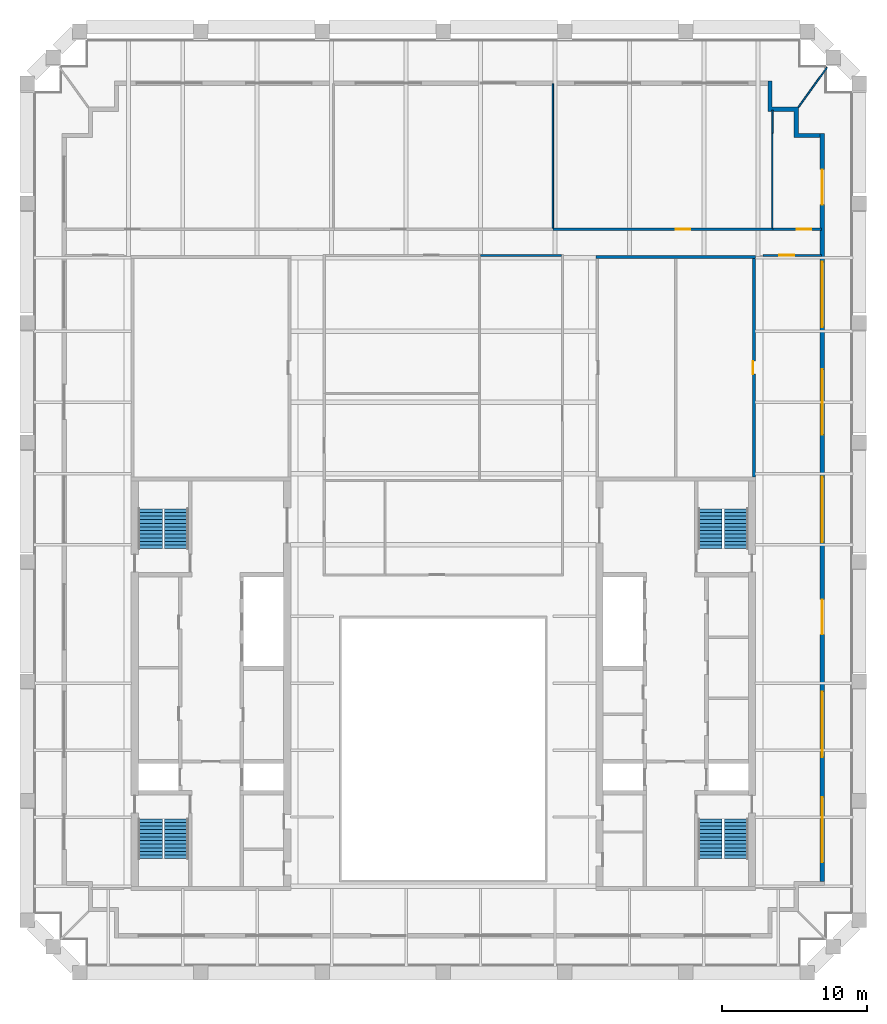
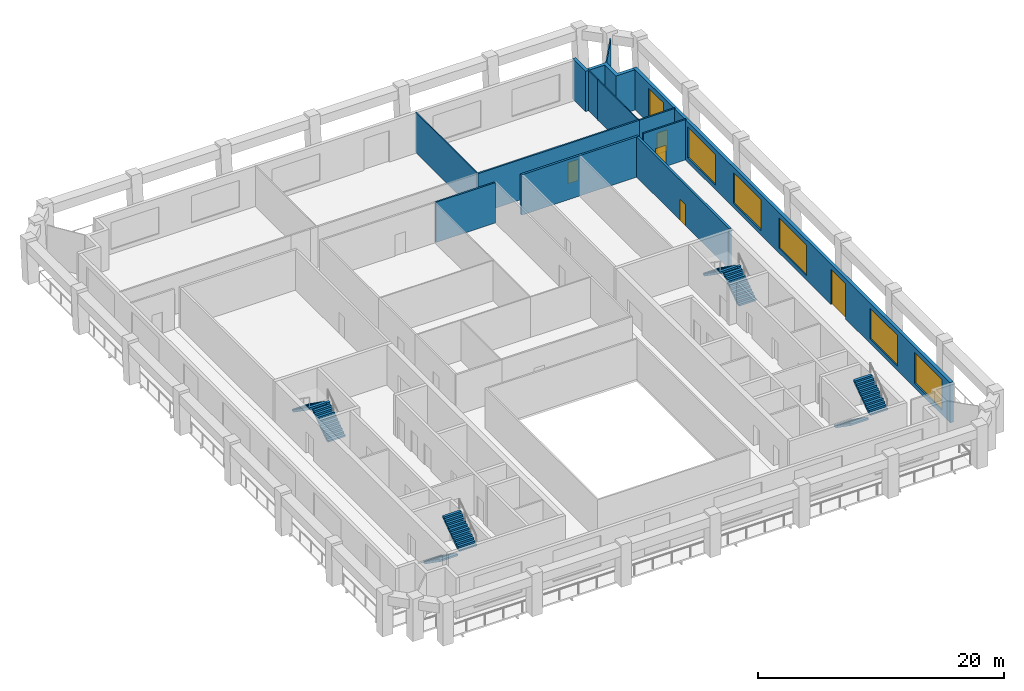
# One storey, part 6 of 7: 12 walls, 8 stair flights, 6 doors, 5 windows, 11 openings, 4 elements without a shape of their own.
"""IFC4 building model written with IfcOpenShell, lengths in metres."""

from ifc_helpers import new_model, si_unit, direction, frame, frame_2d, origin, place, context, subcontext, project, spatial, polyline, rectangle, outline, extrude, material, layer, layer_set, type_object, element, fill, aggregate, save


model = new_model("IFC4")

# Units and contexts
model_context = context("Model", 3, precision=1e-05, world=origin(), true_north=direction((0.0, 1.0)))
body_context = subcontext(model_context, "Body", "Model", "MODEL_VIEW")
ifc_project = project(units=[si_unit("LENGTHUNIT", "METRE"), si_unit("AREAUNIT", "SQUARE_METRE"), si_unit("VOLUMEUNIT", "CUBIC_METRE"), si_unit("PLANEANGLEUNIT", "RADIAN"), si_unit("MASSUNIT", "GRAM", prefix="KILO")], contexts=[model_context])

# Site, building, storey
site_placement = place(None, origin())
site = spatial("IfcSite", under=ifc_project, at=site_placement, CompositionType="ELEMENT")
building_placement = place(site_placement, origin())
building = spatial("IfcBuilding", under=site, at=building_placement, Name="Ogive Exchange Tower", CompositionType="ELEMENT")
storey_placement = place(building_placement, frame((0.0, 0.0, 313.199951171875)))
storey = spatial("IfcBuildingStorey", under=building, at=storey_placement, Name="L68", CompositionType="ELEMENT", Elevation=313.199951171875)

# Wall, opening, door
ifc_material_1 = material(Name="Fire partition EI 60 150")
ifc_layer_1 = layer(ifc_material_1, 0.14990234375)
ifc_layer_set_1 = layer_set([ifc_layer_1], Name="Fire partition EI 60 150")
wall_type_1 = type_object("IfcWallType", Name="Fire partition EI 60 150", PredefinedType="PARTITIONING", material=ifc_layer_set_1)
wall_1_placement = place(storey_placement, frame((7.550048828125, 42.800048828125, 0.0), z_axis=(0.0, 0.0, 1.0), x_axis=(1.0, 0.0, 0.0)))
wall_1 = element("IfcWall", 1, at=wall_1_placement, inside=storey, type_object=wall_type_1, Name="L68-PWL-021", PredefinedType="PARTITIONING", context=body_context, shape_type="SweptSolid", body=[
    extrude(rectangle(XDim=15.14990234375, YDim=0.14990234375, at=frame_2d((7.574951171875, 0.0))), origin(), (0.0, 0.0, 1.0), 4.0),
])
opening_1_placement = place(wall_1_placement, frame((8.449951171875, 0.0, 0.0)))
opening_1 = element("IfcOpeningElement", 2, at=opening_1_placement, cuts=wall_1, Name="Opening L68-I02", PredefinedType="OPENING", context=body_context, shape_type="SweptSolid", body=[
    extrude(rectangle(XDim=1.0, YDim=2.10009765625, at=frame_2d((0.5, 1.050048828125))), frame((0.0, 0.0849609375, 0.0), z_axis=(0.0, -1.0, 0.0), x_axis=(1.0, 0.0, 0.0)), (0.0, 0.0, 1.0), 0.169921875),
])
ifc_material_2 = material(Name="Fire door FD 30S 1000 x 2100")
door_type_1 = type_object("IfcDoorType", Name="Fire door FD 30S 1000 x 2100", OperationType="NOTDEFINED", PredefinedType="DOOR", material=ifc_material_2)
door_1_placement = place(opening_1_placement, origin())
door_1 = element("IfcDoor", 3, at=door_1_placement, inside=storey, type_object=door_type_1, Name="L68-IDR-002", ObjectType="DT3", OperationType="SINGLE_SWING_LEFT", OverallHeight=2.10009765625, OverallWidth=1.0, PredefinedType="DOOR", context=body_context, shape_type="SweptSolid", body=[
    extrude(rectangle(XDim=1.0, YDim=2.10009765625, at=frame_2d((0.5, 1.050048828125))), frame((0.0, 0.02490234375, 0.0), z_axis=(0.0, -1.0, 0.0), x_axis=(1.0, 0.0, 0.0)), (0.0, 0.0, 1.0), 0.050048828125),
])
fill(opening_1, door_1)

# Wall
wall_2_placement = place(storey_placement, frame((8.125, 41.0, 0.0), z_axis=(0.0, 0.0, 1.0), x_axis=(-1.0, 0.0, 0.0)))
element("IfcWall", 4, at=wall_2_placement, inside=storey, type_object=wall_type_1, Name="L68-PWL-025", PredefinedType="PARTITIONING", context=body_context, shape_type="SweptSolid", body=[
    extrude(rectangle(XDim=5.574951171875, YDim=0.14990234375, at=frame_2d((2.78759765625, 0.0))), origin(), (0.0, 0.0, 1.0), 4.0),
])

# Wall, opening, door
wall_3_placement = place(storey_placement, frame((22.699951171875, 42.800048828125, 0.0), z_axis=(0.0, 0.0, 1.0), x_axis=(1.0, 0.0, 0.0)))
wall_3 = element("IfcWall", 5, at=wall_3_placement, inside=storey, type_object=wall_type_1, Name="L68-PWL-028", PredefinedType="PARTITIONING", context=body_context, shape_type="SweptSolid", body=[
    extrude(rectangle(XDim=3.35009765625, YDim=0.14990234375, at=frame_2d((1.675048828125, 0.0))), origin(), (0.0, 0.0, 1.0), 4.0),
])
opening_2_placement = place(wall_3_placement, frame((1.64990234375, 0.0, 0.0)))
opening_2 = element("IfcOpeningElement", 6, at=opening_2_placement, cuts=wall_3, Name="Opening L68-I01", PredefinedType="OPENING", context=body_context, shape_type="SweptSolid", body=[
    extrude(rectangle(XDim=1.0, YDim=2.10009765625, at=frame_2d((0.5, 1.050048828125))), frame((0.0, 0.0849609375, 0.0), z_axis=(0.0, -1.0, 0.0), x_axis=(1.0, 0.0, 0.0)), (0.0, 0.0, 1.0), 0.169921875),
])
door_2_placement = place(opening_2_placement, origin())
door_2 = element("IfcDoor", 7, at=door_2_placement, inside=storey, type_object=door_type_1, Name="L68-IDR-001", ObjectType="DT3", OperationType="SINGLE_SWING_LEFT", OverallHeight=2.10009765625, OverallWidth=1.0, PredefinedType="DOOR", context=body_context, shape_type="SweptSolid", body=[
    extrude(rectangle(XDim=1.0, YDim=2.10009765625, at=frame_2d((0.5, 1.050048828125))), frame((0.0, 0.02490234375, 0.0), z_axis=(0.0, -1.0, 0.0), x_axis=(1.0, 0.0, 0.0)), (0.0, 0.0, 1.0), 0.050048828125),
])
fill(opening_2, door_2)

wall_4_placement = place(storey_placement, frame((26.050048828125, 41.0, 0.0), z_axis=(0.0, 0.0, 1.0), x_axis=(-1.0, 0.0, 0.0)))
wall_4 = element("IfcWall", 8, at=wall_4_placement, inside=storey, type_object=wall_type_1, Name="L68-PWL-030", PredefinedType="PARTITIONING", context=body_context, shape_type="SweptSolid", body=[
    extrude(rectangle(XDim=4.050048828125, YDim=0.14990234375, at=frame_2d((2.02490234375, 0.0))), origin(), (0.0, 0.0, 1.0), 4.0),
])
opening_3_placement = place(wall_4_placement, frame((1.89990234375, 0.0, 0.0)))
opening_3 = element("IfcOpeningElement", 9, at=opening_3_placement, cuts=wall_4, Name="Opening L68-I11", PredefinedType="OPENING", context=body_context, shape_type="SweptSolid", body=[
    extrude(rectangle(XDim=1.0, YDim=2.10009765625, at=frame_2d((0.5, 1.050048828125))), frame((0.0, 0.0849609375, 0.0), z_axis=(0.0, -1.0, 0.0), x_axis=(1.0, 0.0, 0.0)), (0.0, 0.0, 1.0), 0.169921875),
])
door_3_placement = place(opening_3_placement, origin())
door_3 = element("IfcDoor", 10, at=door_3_placement, inside=storey, type_object=door_type_1, Name="L68-IDR-011", ObjectType="DT3", OperationType="SINGLE_SWING_RIGHT", OverallHeight=2.10009765625, OverallWidth=1.0, PredefinedType="DOOR", context=body_context, shape_type="SweptSolid", body=[
    extrude(rectangle(XDim=1.0, YDim=2.10009765625, at=frame_2d((0.5, 1.050048828125))), frame((0.0, 0.02490234375, 0.0), z_axis=(0.0, -1.0, 0.0), x_axis=(1.0, 0.0, 0.0)), (0.0, 0.0, 1.0), 0.050048828125),
])
fill(opening_3, door_3)

# Wall, openings, doors, windows
ifc_material_3 = material(Name="Precast concrete C40/50", Category="concrete")
ifc_layer_2 = layer(ifc_material_3, 0.300048828125)
ifc_layer_set_2 = layer_set([ifc_layer_2], Name="Limestone-faced wall 300")
wall_type_2 = type_object("IfcWallType", Name="Limestone-faced wall 300", PredefinedType="STANDARD", material=ifc_layer_set_2)
wall_5_placement = place(storey_placement, frame((26.10009765625, -2.10009765625, 0.0), z_axis=(0.0, 0.0, 1.0), x_axis=(0.0, 1.0, 0.0)))
wall_5 = element("IfcWall", 11, at=wall_5_placement, inside=storey, type_object=wall_type_2, Name="External wall E2", PredefinedType="STANDARD", context=body_context, shape_type="SweptSolid", body=[
    extrude(rectangle(XDim=51.5, YDim=0.300048828125, at=frame_2d((25.75, 0.0))), origin(), (0.0, 0.0, 1.0), 4.0),
])
opening_4_placement = place(wall_5_placement, frame((1.300048828125, 0.0, 0.449951171875)))
opening_4 = element("IfcOpeningElement", 12, at=opening_4_placement, cuts=wall_5, Name="Opening W1", PredefinedType="OPENING", context=body_context, shape_type="SweptSolid", body=[
    extrude(rectangle(XDim=4.5, YDim=3.050048828125, at=frame_2d((2.25, 1.52490234375))), frame((0.0, 0.159912109375, 0.0), z_axis=(0.0, -1.0, 0.0), x_axis=(1.0, 0.0, 0.0)), (0.0, 0.0, 1.0), 0.320068359375),
])
opening_5_placement = place(wall_5_placement, frame((8.550048828125, 0.0, 0.449951171875)))
opening_5 = element("IfcOpeningElement", 13, at=opening_5_placement, cuts=wall_5, Name="Opening W1", PredefinedType="OPENING", context=body_context, shape_type="SweptSolid", body=[
    extrude(rectangle(XDim=4.5, YDim=3.050048828125, at=frame_2d((2.25, 1.52490234375))), frame((0.0, 0.159912109375, 0.0), z_axis=(0.0, -1.0, 0.0), x_axis=(1.0, 0.0, 0.0)), (0.0, 0.0, 1.0), 0.320068359375),
])
opening_6_placement = place(wall_5_placement, frame((17.0, 0.0, 0.0)))
opening_6 = element("IfcOpeningElement", 14, at=opening_6_placement, cuts=wall_5, Name="Opening D1", PredefinedType="OPENING", context=body_context, shape_type="SweptSolid", body=[
    extrude(rectangle(XDim=2.39990234375, YDim=3.5, at=frame_2d((1.199951171875, 1.75))), frame((0.0, 0.159912109375, 0.0), z_axis=(0.0, -1.0, 0.0), x_axis=(1.0, 0.0, 0.0)), (0.0, 0.0, 1.0), 0.320068359375),
])
opening_7_placement = place(wall_5_placement, frame((23.35009765625, 0.0, 0.449951171875)))
opening_7 = element("IfcOpeningElement", 15, at=opening_7_placement, cuts=wall_5, Name="Opening W1", PredefinedType="OPENING", context=body_context, shape_type="SweptSolid", body=[
    extrude(rectangle(XDim=4.5, YDim=3.050048828125, at=frame_2d((2.25, 1.52490234375))), frame((0.0, 0.159912109375, 0.0), z_axis=(0.0, -1.0, 0.0), x_axis=(1.0, 0.0, 0.0)), (0.0, 0.0, 1.0), 0.320068359375),
])
opening_8_placement = place(wall_5_placement, frame((30.75, 0.0, 0.449951171875)))
opening_8 = element("IfcOpeningElement", 16, at=opening_8_placement, cuts=wall_5, Name="Opening W1", PredefinedType="OPENING", context=body_context, shape_type="SweptSolid", body=[
    extrude(rectangle(XDim=4.5, YDim=3.050048828125, at=frame_2d((2.25, 1.52490234375))), frame((0.0, 0.159912109375, 0.0), z_axis=(0.0, -1.0, 0.0), x_axis=(1.0, 0.0, 0.0)), (0.0, 0.0, 1.0), 0.320068359375),
])
opening_9_placement = place(wall_5_placement, frame((38.14990234375, 0.0, 0.449951171875)))
opening_9 = element("IfcOpeningElement", 17, at=opening_9_placement, cuts=wall_5, Name="Opening W1", PredefinedType="OPENING", context=body_context, shape_type="SweptSolid", body=[
    extrude(rectangle(XDim=4.5, YDim=3.050048828125, at=frame_2d((2.25, 1.52490234375))), frame((0.0, 0.159912109375, 0.0), z_axis=(0.0, -1.0, 0.0), x_axis=(1.0, 0.0, 0.0)), (0.0, 0.0, 1.0), 0.320068359375),
])
opening_10_placement = place(wall_5_placement, frame((46.60009765625, 0.0, 0.0)))
opening_10 = element("IfcOpeningElement", 18, at=opening_10_placement, cuts=wall_5, Name="Opening D1", PredefinedType="OPENING", context=body_context, shape_type="SweptSolid", body=[
    extrude(rectangle(XDim=2.39990234375, YDim=3.5, at=frame_2d((1.199951171875, 1.75))), frame((0.0, 0.159912109375, 0.0), z_axis=(0.0, -1.0, 0.0), x_axis=(1.0, 0.0, 0.0)), (0.0, 0.0, 1.0), 0.320068359375),
])
ifc_material_4 = material(Name="Clear glass in bronze frame", Category="glass")
door_type_2 = type_object("IfcDoorType", Name="Sliding loggia door 2400 x 3500", OperationType="DOUBLE_DOOR_SLIDING", PredefinedType="DOOR", material=ifc_material_4)
door_4_placement = place(opening_6_placement, origin())
door_4 = element("IfcDoor", 19, at=door_4_placement, inside=storey, type_object=door_type_2, Name="Loggia door E02", OperationType="DOUBLE_DOOR_SLIDING", OverallHeight=3.5, OverallWidth=2.39990234375, PredefinedType="DOOR", context=body_context, shape_type="SweptSolid", body=[
    extrude(rectangle(XDim=2.39990234375, YDim=3.5, at=frame_2d((1.199951171875, 1.75))), frame((0.0, 0.02490234375, 0.0), z_axis=(0.0, -1.0, 0.0), x_axis=(1.0, 0.0, 0.0)), (0.0, 0.0, 1.0), 0.050048828125),
])
fill(opening_6, door_4)
door_5_placement = place(opening_10_placement, origin())
door_5 = element("IfcDoor", 20, at=door_5_placement, inside=storey, type_object=door_type_2, Name="Loggia door E06", OperationType="DOUBLE_DOOR_SLIDING", OverallHeight=3.5, OverallWidth=2.39990234375, PredefinedType="DOOR", context=body_context, shape_type="SweptSolid", body=[
    extrude(rectangle(XDim=2.39990234375, YDim=3.5, at=frame_2d((1.199951171875, 1.75))), frame((0.0, 0.02490234375, 0.0), z_axis=(0.0, -1.0, 0.0), x_axis=(1.0, 0.0, 0.0)), (0.0, 0.0, 1.0), 0.050048828125),
])
fill(opening_10, door_5)
window_type = type_object("IfcWindowType", Name="Twin lancet window 4500 x 3050", PartitioningType="DOUBLE_PANEL_VERTICAL", PredefinedType="WINDOW", material=ifc_material_4)
window_1_placement = place(opening_4_placement, origin())
window_1 = element("IfcWindow", 21, at=window_1_placement, inside=storey, type_object=window_type, Name="Window E00", OverallHeight=3.050048828125, OverallWidth=4.5, PartitioningType="DOUBLE_PANEL_VERTICAL", PredefinedType="WINDOW", context=body_context, shape_type="SweptSolid", body=[
    extrude(rectangle(XDim=4.5, YDim=3.050048828125, at=frame_2d((2.25, 1.52490234375))), frame((0.0, 0.030029296875, 0.0), z_axis=(0.0, -1.0, 0.0), x_axis=(1.0, 0.0, 0.0)), (0.0, 0.0, 1.0), 0.06005859375),
])
fill(opening_4, window_1)
window_2_placement = place(opening_5_placement, origin())
window_2 = element("IfcWindow", 22, at=window_2_placement, inside=storey, type_object=window_type, Name="Window E01", OverallHeight=3.050048828125, OverallWidth=4.5, PartitioningType="DOUBLE_PANEL_VERTICAL", PredefinedType="WINDOW", context=body_context, shape_type="SweptSolid", body=[
    extrude(rectangle(XDim=4.5, YDim=3.050048828125, at=frame_2d((2.25, 1.52490234375))), frame((0.0, 0.030029296875, 0.0), z_axis=(0.0, -1.0, 0.0), x_axis=(1.0, 0.0, 0.0)), (0.0, 0.0, 1.0), 0.06005859375),
])
fill(opening_5, window_2)
window_3_placement = place(opening_7_placement, origin())
window_3 = element("IfcWindow", 23, at=window_3_placement, inside=storey, type_object=window_type, Name="Window E03", OverallHeight=3.050048828125, OverallWidth=4.5, PartitioningType="DOUBLE_PANEL_VERTICAL", PredefinedType="WINDOW", context=body_context, shape_type="SweptSolid", body=[
    extrude(rectangle(XDim=4.5, YDim=3.050048828125, at=frame_2d((2.25, 1.52490234375))), frame((0.0, 0.030029296875, 0.0), z_axis=(0.0, -1.0, 0.0), x_axis=(1.0, 0.0, 0.0)), (0.0, 0.0, 1.0), 0.06005859375),
])
fill(opening_7, window_3)
window_4_placement = place(opening_8_placement, origin())
window_4 = element("IfcWindow", 24, at=window_4_placement, inside=storey, type_object=window_type, Name="Window E04", OverallHeight=3.050048828125, OverallWidth=4.5, PartitioningType="DOUBLE_PANEL_VERTICAL", PredefinedType="WINDOW", context=body_context, shape_type="SweptSolid", body=[
    extrude(rectangle(XDim=4.5, YDim=3.050048828125, at=frame_2d((2.25, 1.52490234375))), frame((0.0, 0.030029296875, 0.0), z_axis=(0.0, -1.0, 0.0), x_axis=(1.0, 0.0, 0.0)), (0.0, 0.0, 1.0), 0.06005859375),
])
fill(opening_8, window_4)
window_5_placement = place(opening_9_placement, origin())
window_5 = element("IfcWindow", 25, at=window_5_placement, inside=storey, type_object=window_type, Name="Window E05", OverallHeight=3.050048828125, OverallWidth=4.5, PartitioningType="DOUBLE_PANEL_VERTICAL", PredefinedType="WINDOW", context=body_context, shape_type="SweptSolid", body=[
    extrude(rectangle(XDim=4.5, YDim=3.050048828125, at=frame_2d((2.25, 1.52490234375))), frame((0.0, 0.030029296875, 0.0), z_axis=(0.0, -1.0, 0.0), x_axis=(1.0, 0.0, 0.0)), (0.0, 0.0, 1.0), 0.06005859375),
])
fill(opening_9, window_5)

# Walls
wall_6_placement = place(storey_placement, origin())
element("IfcWall", 26, at=wall_6_placement, inside=storey, type_object=wall_type_2, Name="External corner wall C2", PredefinedType="STANDARD", context=body_context, shape_type="SweptSolid", body=[
    extrude(outline(polyline([(24.14990234375, 50.89990234375), (22.35009765625, 50.89990234375), (22.35009765625, 53.0), (22.64990234375, 53.0), (22.64990234375, 51.199951171875), (24.449951171875, 51.199951171875), (24.449951171875, 49.39990234375), (25.949951171875, 49.39990234375), (25.949951171875, 49.10009765625), (24.14990234375, 49.10009765625), (24.14990234375, 50.89990234375)])), origin(), (0.0, 0.0, 1.0), 4.0),
])
ifc_material_5 = material(Name="Laminated safety glass in steel frame", Category="steel")
ifc_layer_3 = layer(ifc_material_5, 0.10009765625)
ifc_layer_set_3 = layer_set([ifc_layer_3], Name="Loggia end screen 100")
wall_type_3 = type_object("IfcWallType", Name="Loggia end screen 100", PredefinedType="STANDARD", material=ifc_layer_set_3)
wall_7_placement = place(storey_placement, frame((24.449951171875, 51.199951171875, -0.050048828125), z_axis=(0.0, 0.0, 1.0), x_axis=(0.585001892545, 0.811031926448, 0.0)))
element("IfcWall", 27, at=wall_7_placement, inside=storey, type_object=wall_type_3, Name="Loggia end screen C2", PredefinedType="STANDARD", context=body_context, shape_type="SweptSolid", body=[
    extrude(rectangle(XDim=3.37548828125, YDim=0.10009765625, at=frame_2d((1.687744140625, 0.0))), origin(), (0.0, 0.0, 1.0), 4.050048828125),
])
ifc_material_6 = material(Name="Partition 100 gypsum")
ifc_layer_4 = layer(ifc_material_6, 0.10009765625)
ifc_layer_set_4 = layer_set([ifc_layer_4], Name="Partition 100 gypsum")
wall_type_4 = type_object("IfcWallType", Name="Partition 100 gypsum", PredefinedType="PARTITIONING", material=ifc_layer_set_4)
wall_8_placement = place(storey_placement, frame((7.550048828125, 42.875, 0.0), z_axis=(0.0, 0.0, 1.0), x_axis=(0.0, 1.0, 0.0)))
element("IfcWall", 28, at=wall_8_placement, inside=storey, type_object=wall_type_4, Name="L68-PWL-020", PredefinedType="PARTITIONING", context=body_context, shape_type="SweptSolid", body=[
    extrude(rectangle(XDim=9.925048828125, YDim=0.10009765625, at=frame_2d((4.96240234375, 0.0))), origin(), (0.0, 0.0, 1.0), 4.0),
])
wall_9_placement = place(storey_placement, frame((22.64990234375, 42.875, 0.0), z_axis=(0.0, 0.0, 1.0), x_axis=(0.0, 1.0, 0.0)))
element("IfcWall", 29, at=wall_9_placement, inside=storey, type_object=wall_type_4, Name="L68-PWL-027", PredefinedType="PARTITIONING", context=body_context, shape_type="SweptSolid", body=[
    extrude(rectangle(XDim=6.534912109375, YDim=0.10009765625, at=frame_2d((3.267578125, 0.0))), origin(), (0.0, 0.0, 1.0), 4.0),
])
wall_10_placement = place(storey_placement, frame((22.659912109375, 49.409912109375, 0.0), z_axis=(0.0, 0.0, 1.0), x_axis=(0.0, 1.0, 0.0)))
element("IfcWall", 30, at=wall_10_placement, inside=storey, type_object=wall_type_4, Name="L68-PWL-029", PredefinedType="PARTITIONING", context=body_context, shape_type="SweptSolid", body=[
    extrude(rectangle(XDim=1.590087890625, YDim=0.10009765625, at=frame_2d((0.794921875, 0.0))), origin(), (0.0, 0.0, 1.0), 4.0),
])

# Wall, opening, door
ifc_material_7 = material(Name="Concrete C70/85", Category="concrete")
ifc_layer_5 = layer(ifc_material_7, 0.199951171875)
ifc_layer_set_5 = layer_set([ifc_layer_5], Name="RC core wall 200 C70/85")
wall_type_5 = type_object("IfcWallType", Name="RC core wall 200 C70/85", PredefinedType="SHEAR", material=ifc_layer_set_5)
wall_11_placement = place(storey_placement, frame((21.39990234375, 25.75, 0.0), z_axis=(0.0, 0.0, 1.0), x_axis=(0.0, 1.0, 0.0)))
wall_11 = element("IfcWall", 31, at=wall_11_placement, inside=storey, type_object=wall_type_5, Name="E annex N outer wall", PredefinedType="SHEAR", context=body_context, shape_type="SweptSolid", body=[
    extrude(rectangle(XDim=15.050048828125, YDim=0.199951171875, at=frame_2d((7.52490234375, 0.0))), origin(), (0.0, 0.0, 1.0), 4.0),
])
opening_11_placement = place(wall_11_placement, frame((7.074951171875, 0.0, 0.0)))
opening_11 = element("IfcOpeningElement", 32, at=opening_11_placement, cuts=wall_11, Name="Opening L68-C36", PredefinedType="OPENING", context=body_context, shape_type="SweptSolid", body=[
    extrude(rectangle(XDim=0.89990234375, YDim=2.10009765625, at=frame_2d((0.449951171875, 1.050048828125))), frame((0.0, 0.10986328125, 0.0), z_axis=(0.0, -1.0, 0.0), x_axis=(1.0, 0.0, 0.0)), (0.0, 0.0, 1.0), 0.219970703125),
])
ifc_material_8 = material(Name="Steel fire door", Category="steel")
door_type_3 = type_object("IfcDoorType", Name="Riser door FD60 900 x 2100", OperationType="NOTDEFINED", PredefinedType="DOOR", material=ifc_material_8)
door_6_placement = place(opening_11_placement, frame((0.89990234375, 0.14990234375, 0.0), z_axis=(0.0, 0.0, 1.0), x_axis=(-1.0, 0.0, 0.0)))
door_6 = element("IfcDoor", 33, at=door_6_placement, inside=storey, type_object=door_type_3, Name="Riser door", ObjectType="CD2", OperationType="SINGLE_SWING_RIGHT", OverallHeight=2.10009765625, OverallWidth=0.89990234375, PredefinedType="DOOR", context=body_context, shape_type="SweptSolid", body=[
    extrude(rectangle(XDim=0.89990234375, YDim=2.10009765625, at=frame_2d((0.449951171875, 1.050048828125))), frame((0.0, 0.10009765625, 0.0), z_axis=(0.0, -1.0, 0.0), x_axis=(1.0, 0.0, 0.0)), (0.0, 0.0, 1.0), 0.050048828125),
])
fill(opening_11, door_6)

# Wall
wall_12_placement = place(storey_placement, frame((10.5, 40.89990234375, 0.0), z_axis=(0.0, 0.0, 1.0), x_axis=(1.0, 0.0, 0.0)))
element("IfcWall", 34, at=wall_12_placement, inside=storey, type_object=wall_type_5, Name="E annex N end wall", PredefinedType="SHEAR", context=body_context, shape_type="SweptSolid", body=[
    extrude(rectangle(XDim=11.0, YDim=0.199951171875, at=frame_2d((5.5, 0.0))), origin(), (0.0, 0.0, 1.0), 4.0),
])

# Stair, stair flights
ifc_material_9 = material(Name="Concrete C40/50", Category="concrete")
stair_type = type_object("IfcStairType", Name="Exit stair 1650 wide", PredefinedType="HALF_TURN_STAIR", material=ifc_material_9)
stair_1_placement = place(storey_placement, origin())
stair_1 = element("IfcStair", 35, at=stair_1_placement, inside=storey, type_object=stair_type, Name="L68 exit stair ST1", PredefinedType="HALF_TURN_STAIR")
stair_flight_type = type_object("IfcStairFlightType", Name="Stair flight 1650 wide", PredefinedType="STRAIGHT", material=ifc_material_9)
stair_flight_1_placement = place(storey_placement, frame((-20.175048828125, 2.199951171875, 0.0), z_axis=(0.0, 0.0, 1.0), x_axis=(0.0, -1.0, 0.0)))
stair_flight_1 = element("IfcStairFlight", 36, at=stair_flight_1_placement, type_object=stair_flight_type, Name="ST1 flight 1", NumberOfRisers=12, NumberOfTreads=11, PredefinedType="STRAIGHT", RiserHeight=0.175, TreadLength=0.25, context=body_context, shape_type="SweptSolid", body=[
    extrude(outline(polyline([(0.0, 0.0), (0.0, 0.175048828125), (0.25, 0.175048828125), (0.25, 0.35009765625), (0.5, 0.35009765625), (0.5, 0.52490234375), (0.75, 0.52490234375), (0.75, 0.699951171875), (1.0, 0.699951171875), (1.0, 0.875), (1.25, 0.875), (1.25, 1.050048828125), (1.5, 1.050048828125), (1.5, 1.22509765625), (1.75, 1.22509765625), (1.75, 1.39990234375), (2.0, 1.39990234375), (2.0, 1.574951171875), (2.25, 1.574951171875), (2.25, 1.75), (2.5, 1.75), (2.5, 1.925048828125), (2.75, 1.925048828125), (2.75, 2.10009765625), (2.75, 1.741943359375), (0.261474609375, 0.0), (0.0, 0.0)])), frame((0.0, 0.824951171875, 0.0), z_axis=(0.0, -1.0, 0.0), x_axis=(1.0, 0.0, 0.0)), (0.0, 0.0, 1.0), 1.64990234375),
])
stair_flight_2_placement = place(storey_placement, frame((-18.375, -0.550048828125, 2.10009765625), z_axis=(0.0, 0.0, 1.0), x_axis=(0.0, 1.0, 0.0)))
stair_flight_2 = element("IfcStairFlight", 37, at=stair_flight_2_placement, type_object=stair_flight_type, Name="ST1 flight 2", NumberOfRisers=12, NumberOfTreads=11, PredefinedType="STRAIGHT", RiserHeight=0.175, TreadLength=0.25, context=body_context, shape_type="SweptSolid", body=[
    extrude(outline(polyline([(0.0, 0.0), (0.0, 0.175048828125), (0.25, 0.175048828125), (0.25, 0.35009765625), (0.5, 0.35009765625), (0.5, 0.52490234375), (0.75, 0.52490234375), (0.75, 0.699951171875), (1.0, 0.699951171875), (1.0, 0.875), (1.25, 0.875), (1.25, 1.050048828125), (1.5, 1.050048828125), (1.5, 1.22509765625), (1.75, 1.22509765625), (1.75, 1.39990234375), (2.0, 1.39990234375), (2.0, 1.574951171875), (2.25, 1.574951171875), (2.25, 1.75), (2.5, 1.75), (2.5, 1.925048828125), (2.75, 1.925048828125), (2.75, 2.10009765625), (2.75, 1.741943359375), (0.261474609375, 0.0), (0.0, 0.0)])), frame((0.0, 0.824951171875, 0.0), z_axis=(0.0, -1.0, 0.0), x_axis=(1.0, 0.0, 0.0)), (0.0, 0.0, 1.0), 1.64990234375),
])
aggregate(stair_1, [stair_flight_1, stair_flight_2])

stair_2_placement = place(storey_placement, origin())
stair_2 = element("IfcStair", 38, at=stair_2_placement, inside=storey, type_object=stair_type, Name="L68 exit stair ST2", PredefinedType="HALF_TURN_STAIR")
stair_flight_3_placement = place(storey_placement, frame((-18.375, 20.800048828125, 0.0), z_axis=(0.0, 0.0, 1.0), x_axis=(0.0, 1.0, 0.0)))
stair_flight_3 = element("IfcStairFlight", 39, at=stair_flight_3_placement, type_object=stair_flight_type, Name="ST2 flight 1", NumberOfRisers=12, NumberOfTreads=11, PredefinedType="STRAIGHT", RiserHeight=0.175, TreadLength=0.25, context=body_context, shape_type="SweptSolid", body=[
    extrude(outline(polyline([(0.0, 0.0), (0.0, 0.175048828125), (0.25, 0.175048828125), (0.25, 0.35009765625), (0.5, 0.35009765625), (0.5, 0.52490234375), (0.75, 0.52490234375), (0.75, 0.699951171875), (1.0, 0.699951171875), (1.0, 0.875), (1.25, 0.875), (1.25, 1.050048828125), (1.5, 1.050048828125), (1.5, 1.22509765625), (1.75, 1.22509765625), (1.75, 1.39990234375), (2.0, 1.39990234375), (2.0, 1.574951171875), (2.25, 1.574951171875), (2.25, 1.75), (2.5, 1.75), (2.5, 1.925048828125), (2.75, 1.925048828125), (2.75, 2.10009765625), (2.75, 1.741943359375), (0.261474609375, 0.0), (0.0, 0.0)])), frame((0.0, 0.824951171875, 0.0), z_axis=(0.0, -1.0, 0.0), x_axis=(1.0, 0.0, 0.0)), (0.0, 0.0, 1.0), 1.64990234375),
])
stair_flight_4_placement = place(storey_placement, frame((-20.175048828125, 23.550048828125, 2.10009765625), z_axis=(0.0, 0.0, 1.0), x_axis=(0.0, -1.0, 0.0)))
stair_flight_4 = element("IfcStairFlight", 40, at=stair_flight_4_placement, type_object=stair_flight_type, Name="ST2 flight 2", NumberOfRisers=12, NumberOfTreads=11, PredefinedType="STRAIGHT", RiserHeight=0.175, TreadLength=0.25, context=body_context, shape_type="SweptSolid", body=[
    extrude(outline(polyline([(0.0, 0.0), (0.0, 0.175048828125), (0.25, 0.175048828125), (0.25, 0.35009765625), (0.5, 0.35009765625), (0.5, 0.52490234375), (0.75, 0.52490234375), (0.75, 0.699951171875), (1.0, 0.699951171875), (1.0, 0.875), (1.25, 0.875), (1.25, 1.050048828125), (1.5, 1.050048828125), (1.5, 1.22509765625), (1.75, 1.22509765625), (1.75, 1.39990234375), (2.0, 1.39990234375), (2.0, 1.574951171875), (2.25, 1.574951171875), (2.25, 1.75), (2.5, 1.75), (2.5, 1.925048828125), (2.75, 1.925048828125), (2.75, 2.10009765625), (2.75, 1.741943359375), (0.261474609375, 0.0), (0.0, 0.0)])), frame((0.0, 0.824951171875, 0.0), z_axis=(0.0, -1.0, 0.0), x_axis=(1.0, 0.0, 0.0)), (0.0, 0.0, 1.0), 1.64990234375),
])
aggregate(stair_2, [stair_flight_3, stair_flight_4])

stair_3_placement = place(storey_placement, origin())
stair_3 = element("IfcStair", 41, at=stair_3_placement, inside=storey, type_object=stair_type, Name="L68 exit stair ST3", PredefinedType="HALF_TURN_STAIR")
stair_flight_5_placement = place(storey_placement, frame((18.375, 2.199951171875, 0.0), z_axis=(0.0, 0.0, 1.0), x_axis=(0.0, -1.0, 0.0)))
stair_flight_5 = element("IfcStairFlight", 42, at=stair_flight_5_placement, type_object=stair_flight_type, Name="ST3 flight 1", NumberOfRisers=12, NumberOfTreads=11, PredefinedType="STRAIGHT", RiserHeight=0.175, TreadLength=0.25, context=body_context, shape_type="SweptSolid", body=[
    extrude(outline(polyline([(0.0, 0.0), (0.0, 0.175048828125), (0.25, 0.175048828125), (0.25, 0.35009765625), (0.5, 0.35009765625), (0.5, 0.52490234375), (0.75, 0.52490234375), (0.75, 0.699951171875), (1.0, 0.699951171875), (1.0, 0.875), (1.25, 0.875), (1.25, 1.050048828125), (1.5, 1.050048828125), (1.5, 1.22509765625), (1.75, 1.22509765625), (1.75, 1.39990234375), (2.0, 1.39990234375), (2.0, 1.574951171875), (2.25, 1.574951171875), (2.25, 1.75), (2.5, 1.75), (2.5, 1.925048828125), (2.75, 1.925048828125), (2.75, 2.10009765625), (2.75, 1.741943359375), (0.261474609375, 0.0), (0.0, 0.0)])), frame((0.0, 0.824951171875, 0.0), z_axis=(0.0, -1.0, 0.0), x_axis=(1.0, 0.0, 0.0)), (0.0, 0.0, 1.0), 1.64990234375),
])
stair_flight_6_placement = place(storey_placement, frame((20.175048828125, -0.550048828125, 2.10009765625), z_axis=(0.0, 0.0, 1.0), x_axis=(0.0, 1.0, 0.0)))
stair_flight_6 = element("IfcStairFlight", 43, at=stair_flight_6_placement, type_object=stair_flight_type, Name="ST3 flight 2", NumberOfRisers=12, NumberOfTreads=11, PredefinedType="STRAIGHT", RiserHeight=0.175, TreadLength=0.25, context=body_context, shape_type="SweptSolid", body=[
    extrude(outline(polyline([(0.0, 0.0), (0.0, 0.175048828125), (0.25, 0.175048828125), (0.25, 0.35009765625), (0.5, 0.35009765625), (0.5, 0.52490234375), (0.75, 0.52490234375), (0.75, 0.699951171875), (1.0, 0.699951171875), (1.0, 0.875), (1.25, 0.875), (1.25, 1.050048828125), (1.5, 1.050048828125), (1.5, 1.22509765625), (1.75, 1.22509765625), (1.75, 1.39990234375), (2.0, 1.39990234375), (2.0, 1.574951171875), (2.25, 1.574951171875), (2.25, 1.75), (2.5, 1.75), (2.5, 1.925048828125), (2.75, 1.925048828125), (2.75, 2.10009765625), (2.75, 1.741943359375), (0.261474609375, 0.0), (0.0, 0.0)])), frame((0.0, 0.824951171875, 0.0), z_axis=(0.0, -1.0, 0.0), x_axis=(1.0, 0.0, 0.0)), (0.0, 0.0, 1.0), 1.64990234375),
])
aggregate(stair_3, [stair_flight_5, stair_flight_6])

stair_4_placement = place(storey_placement, origin())
stair_4 = element("IfcStair", 44, at=stair_4_placement, inside=storey, type_object=stair_type, Name="L68 exit stair ST4", PredefinedType="HALF_TURN_STAIR")
stair_flight_7_placement = place(storey_placement, frame((20.175048828125, 20.800048828125, 0.0), z_axis=(0.0, 0.0, 1.0), x_axis=(0.0, 1.0, 0.0)))
stair_flight_7 = element("IfcStairFlight", 45, at=stair_flight_7_placement, type_object=stair_flight_type, Name="ST4 flight 1", NumberOfRisers=12, NumberOfTreads=11, PredefinedType="STRAIGHT", RiserHeight=0.175, TreadLength=0.25, context=body_context, shape_type="SweptSolid", body=[
    extrude(outline(polyline([(0.0, 0.0), (0.0, 0.175048828125), (0.25, 0.175048828125), (0.25, 0.35009765625), (0.5, 0.35009765625), (0.5, 0.52490234375), (0.75, 0.52490234375), (0.75, 0.699951171875), (1.0, 0.699951171875), (1.0, 0.875), (1.25, 0.875), (1.25, 1.050048828125), (1.5, 1.050048828125), (1.5, 1.22509765625), (1.75, 1.22509765625), (1.75, 1.39990234375), (2.0, 1.39990234375), (2.0, 1.574951171875), (2.25, 1.574951171875), (2.25, 1.75), (2.5, 1.75), (2.5, 1.925048828125), (2.75, 1.925048828125), (2.75, 2.10009765625), (2.75, 1.741943359375), (0.261474609375, 0.0), (0.0, 0.0)])), frame((0.0, 0.824951171875, 0.0), z_axis=(0.0, -1.0, 0.0), x_axis=(1.0, 0.0, 0.0)), (0.0, 0.0, 1.0), 1.64990234375),
])
stair_flight_8_placement = place(storey_placement, frame((18.375, 23.550048828125, 2.10009765625), z_axis=(0.0, 0.0, 1.0), x_axis=(0.0, -1.0, 0.0)))
stair_flight_8 = element("IfcStairFlight", 46, at=stair_flight_8_placement, type_object=stair_flight_type, Name="ST4 flight 2", NumberOfRisers=12, NumberOfTreads=11, PredefinedType="STRAIGHT", RiserHeight=0.175, TreadLength=0.25, context=body_context, shape_type="SweptSolid", body=[
    extrude(outline(polyline([(0.0, 0.0), (0.0, 0.175048828125), (0.25, 0.175048828125), (0.25, 0.35009765625), (0.5, 0.35009765625), (0.5, 0.52490234375), (0.75, 0.52490234375), (0.75, 0.699951171875), (1.0, 0.699951171875), (1.0, 0.875), (1.25, 0.875), (1.25, 1.050048828125), (1.5, 1.050048828125), (1.5, 1.22509765625), (1.75, 1.22509765625), (1.75, 1.39990234375), (2.0, 1.39990234375), (2.0, 1.574951171875), (2.25, 1.574951171875), (2.25, 1.75), (2.5, 1.75), (2.5, 1.925048828125), (2.75, 1.925048828125), (2.75, 2.10009765625), (2.75, 1.741943359375), (0.261474609375, 0.0), (0.0, 0.0)])), frame((0.0, 0.824951171875, 0.0), z_axis=(0.0, -1.0, 0.0), x_axis=(1.0, 0.0, 0.0)), (0.0, 0.0, 1.0), 1.64990234375),
])
aggregate(stair_4, [stair_flight_7, stair_flight_8])

save(model, "model.ifc")
